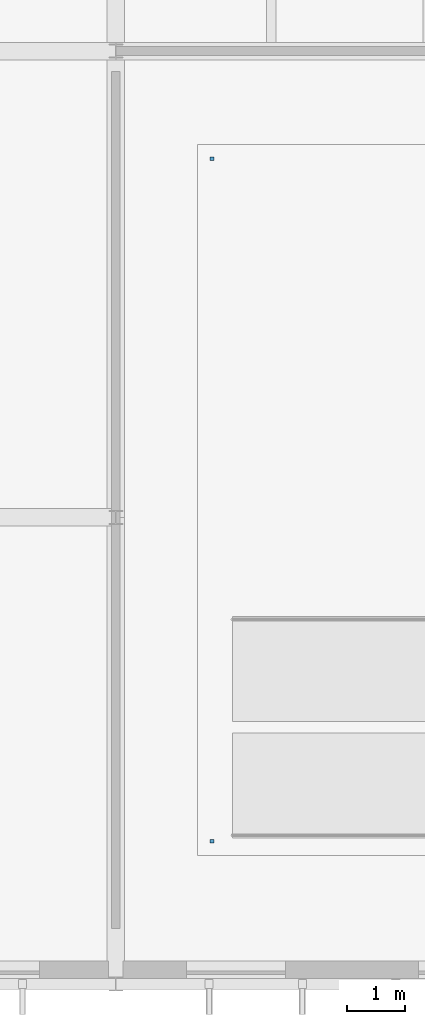
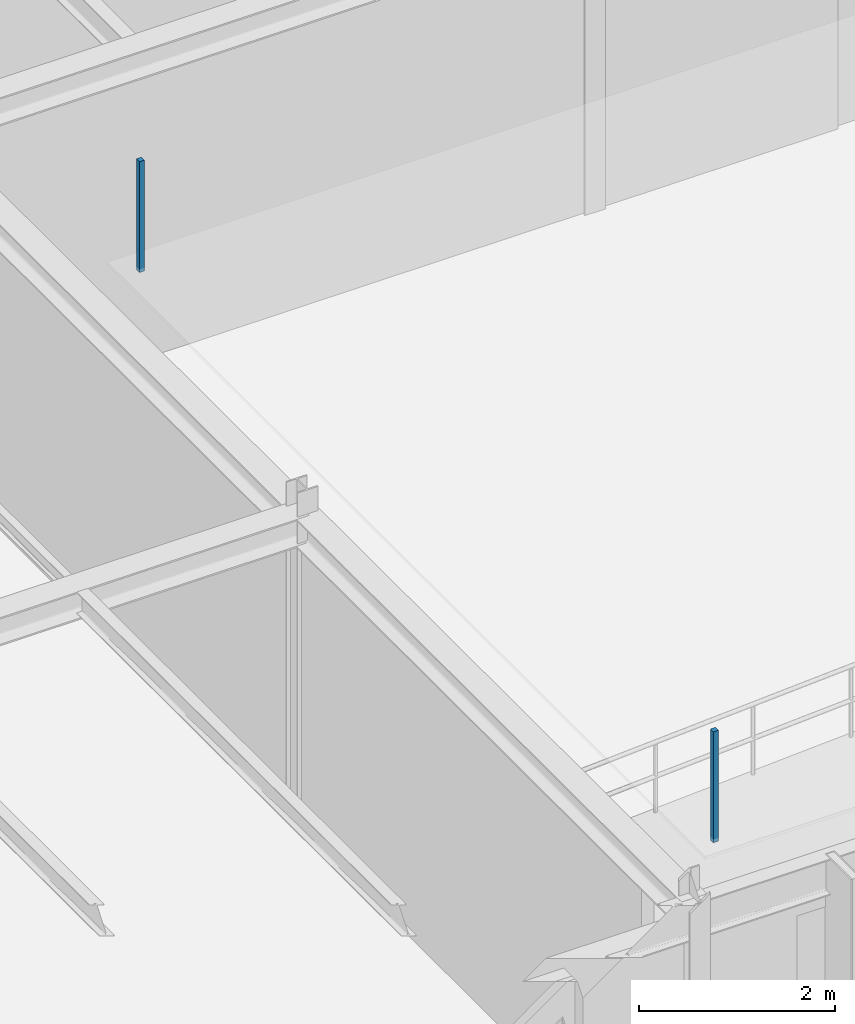
# One storey, part 94 of 124: 2 discrete accessories.
"""IFC4 building model written with IfcOpenShell, lengths in metres."""

from ifc_helpers import new_model, si_unit, direction, frame, origin, origin_2d, place, context, subcontext, project, spatial, rectangle, extrude, material, type_object, element, save


model = new_model("IFC4")

# Units and contexts
model_context = context("Model", 3, precision=1e-05, world=origin(), true_north=direction((0.0, 1.0)))
body_context = subcontext(model_context, "Body", "Model", "MODEL_VIEW")
ifc_project = project(units=[si_unit("LENGTHUNIT", "METRE"), si_unit("AREAUNIT", "SQUARE_METRE"), si_unit("VOLUMEUNIT", "CUBIC_METRE"), si_unit("PLANEANGLEUNIT", "RADIAN"), si_unit("MASSUNIT", "GRAM", prefix="KILO")], contexts=[model_context])

# Site, building, storey
site_placement = place(None, origin())
site = spatial("IfcSite", under=ifc_project, at=site_placement, CompositionType="ELEMENT")
building_placement = place(site_placement, origin())
building = spatial("IfcBuilding", under=site, at=building_placement, Name="Sundkrona Museum", CompositionType="ELEMENT")
storey_placement = place(building_placement, frame((0.0, 0.0, 17.60009765625)))
storey = spatial("IfcBuildingStorey", under=building, at=storey_placement, Name="L03", CompositionType="ELEMENT", Elevation=17.60009765625)

# Discrete accessories
ifc_material = material(Name="Stainless Steel EN 1.4404 Cleat", Category="steel")
discrete_accessory_type = type_object("IfcDiscreteAccessoryType", Name="BRK-FIN-01", PredefinedType="BRACKET", material=ifc_material)
for number, where, z_axis, x_axis, name in (
    (1, (57.64990234375, 80.449951171875, 2.550048828125), (0.0, 0.0, 1.0), (1.0, 0.0, 0.0), "L03 Nordic Ecology Gallery Ceiling Hanger 1"),
    (2, (57.64990234375, 92.14990234375, 2.550048828125), (0.0, 0.0, 1.0), (1.0, 0.0, 0.0), "L03 Nordic Ecology Gallery Ceiling Hanger 4"),
):
    element("IfcDiscreteAccessory", number, at=place(storey_placement, frame(where, z_axis=z_axis, x_axis=x_axis)), inside=storey, type_object=discrete_accessory_type, Name=name, PredefinedType="BRACKET", context=body_context, shape_type="SweptSolid", body=[
        extrude(rectangle(XDim=0.06005859375, YDim=0.06005859375, at=origin_2d()), origin(), (0.0, 0.0, 1.0), 1.3798828125),
    ])

save(model, "model.ifc")
